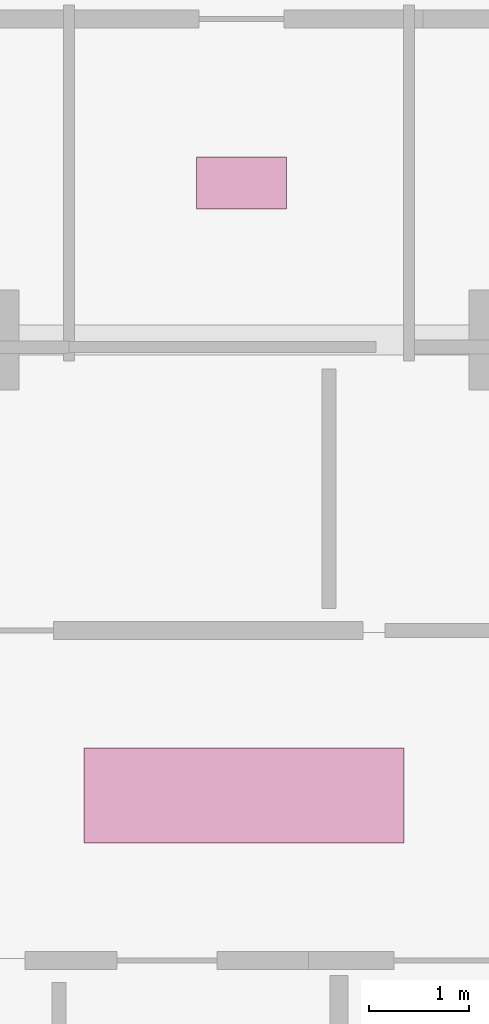
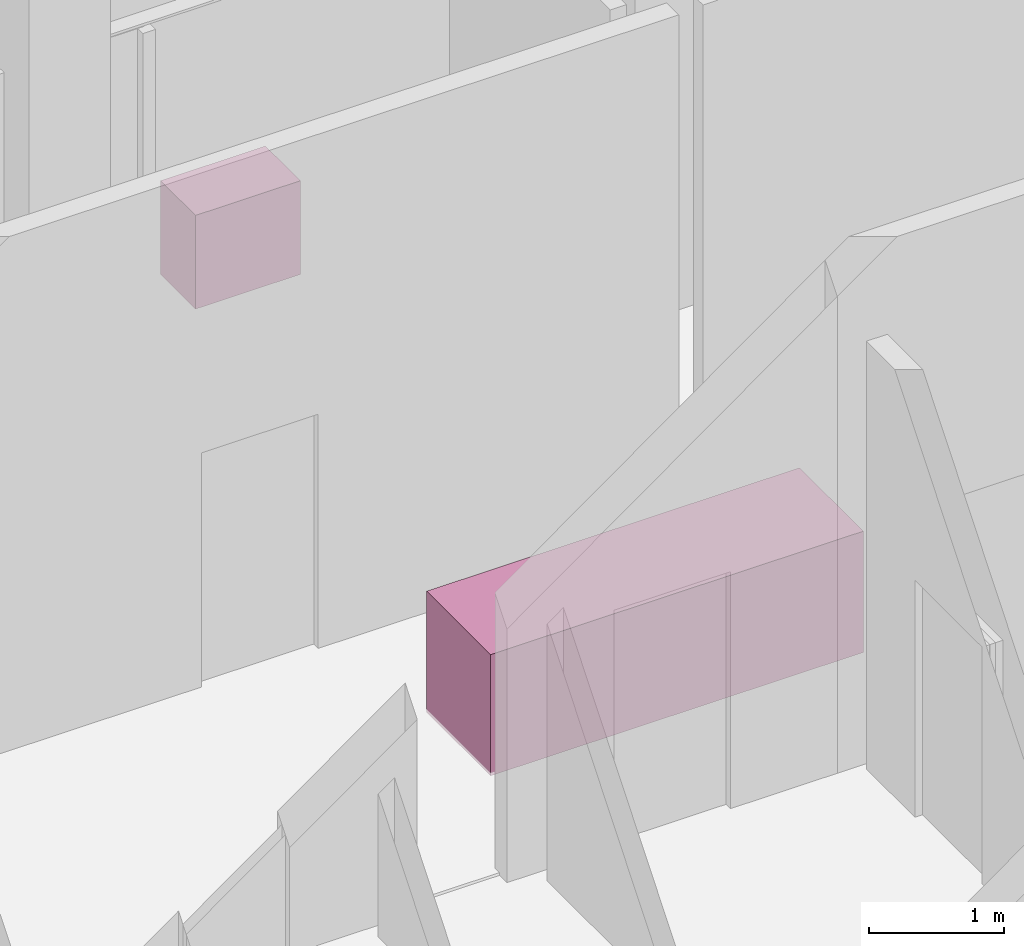
# One storey, part 24 of 24: 2 furnishings.
"""IFC4 building model written with IfcOpenShell, lengths in metres."""

from ifc_helpers import new_model, si_unit, direction, frame, origin, origin_2d, place, context, subcontext, project, spatial, rectangle, extrude, material, type_object, element, save


model = new_model("IFC4")

# Units and contexts
model_context = context("Model", 3, precision=1e-05, world=origin(), true_north=direction((0.0, 1.0)))
body_context = subcontext(model_context, "Body", "Model", "MODEL_VIEW")
ifc_project = project(units=[si_unit("LENGTHUNIT", "METRE"), si_unit("AREAUNIT", "SQUARE_METRE"), si_unit("VOLUMEUNIT", "CUBIC_METRE"), si_unit("PLANEANGLEUNIT", "RADIAN"), si_unit("MASSUNIT", "GRAM", prefix="KILO")], contexts=[model_context])

# Site, building, storey
site_placement = place(None, origin())
site = spatial("IfcSite", under=ifc_project, at=site_placement, CompositionType="ELEMENT")
building_placement = place(site_placement, origin())
building = spatial("IfcBuilding", under=site, at=building_placement, Name="Vorneva Point Tower", CompositionType="ELEMENT")
storey_placement = place(building_placement, frame((0.0, 0.0, 285.39990234375)))
storey = spatial("IfcBuildingStorey", under=building, at=storey_placement, Name="L77", CompositionType="ELEMENT", Elevation=285.39990234375)

# Furnishings
ifc_material_1 = material(Name="Engineered oak fire-rated door leaf", Category="wood")
furniture_type_1 = type_object("IfcFurnitureType", Name="FUR-DSK-3200", AssemblyPlace="NOTDEFINED", PredefinedType="NOTDEFINED", material=ifc_material_1)
furnishing_1_placement = place(storey_placement, frame((38.0, 26.0, -0.0048828125), z_axis=(0.0, 0.0, 1.0), x_axis=(1.0, 0.0, 0.0)))
element("IfcFurnishingElement", 1, at=furnishing_1_placement, inside=storey, type_object=furniture_type_1, Name="L77 Reception and Concierge Desk", ObjectType="L77 Reception and Concierge Desk", context=body_context, shape_type="SweptSolid", body=[
    extrude(rectangle(XDim=3.199951171875, YDim=0.949951171875, at=origin_2d()), origin(), (0.0, 0.0, 1.0), 1.10009765625),
])
ifc_material_2 = material(Name="Vitreous china and granite top", Category="masonry")
furniture_type_2 = type_object("IfcFurnitureType", Name="FUR-VAN-900", AssemblyPlace="NOTDEFINED", PredefinedType="NOTDEFINED", material=ifc_material_2)
furnishing_2_placement = place(storey_placement, frame((37.97509765625, 32.1201171875, -0.0048828125), z_axis=(0.0, 0.0, 1.0), x_axis=(1.0, 0.0, 0.0)))
element("IfcFurnishingElement", 2, at=furnishing_2_placement, inside=storey, type_object=furniture_type_2, Name="L77 Accessible WC Vanity Unit", ObjectType="L77 Accessible WC Vanity Unit", context=body_context, shape_type="SweptSolid", body=[
    extrude(rectangle(XDim=0.89990234375, YDim=0.52001953125, at=origin_2d()), origin(), (0.0, 0.0, 1.0), 0.85009765625),
])

save(model, "model.ifc")
